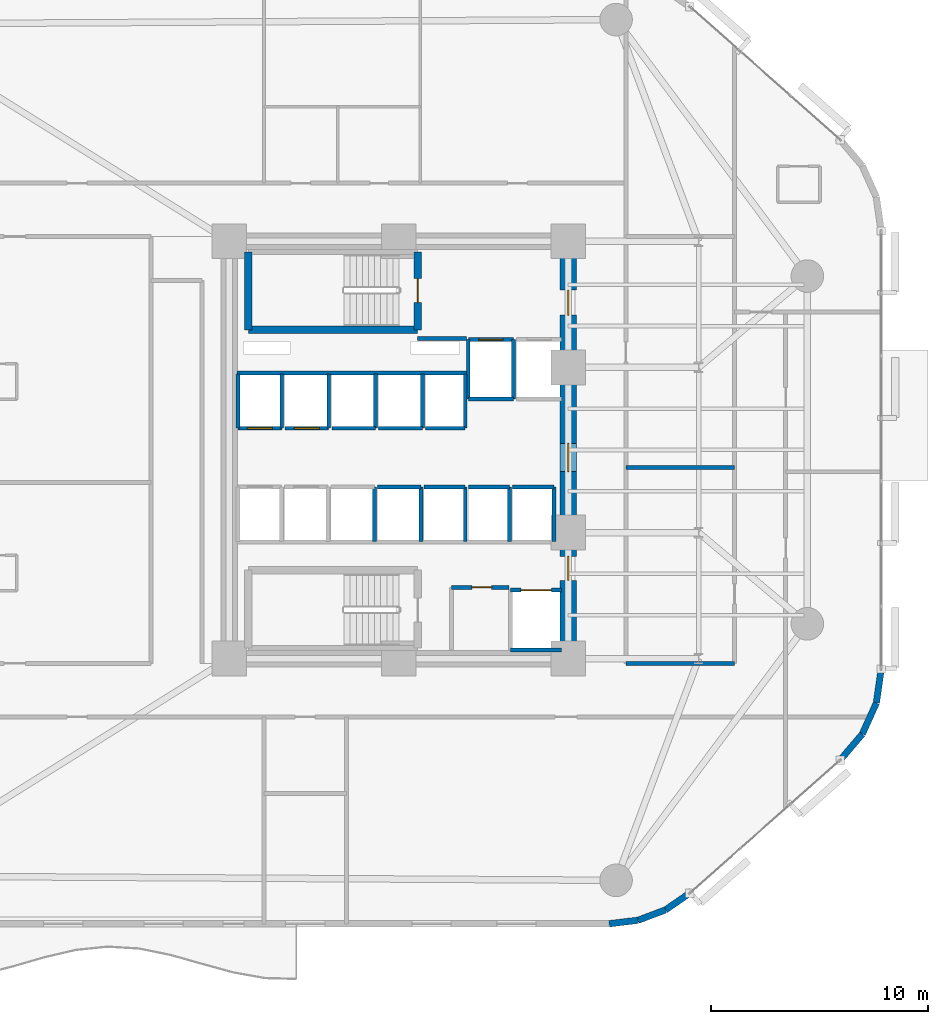
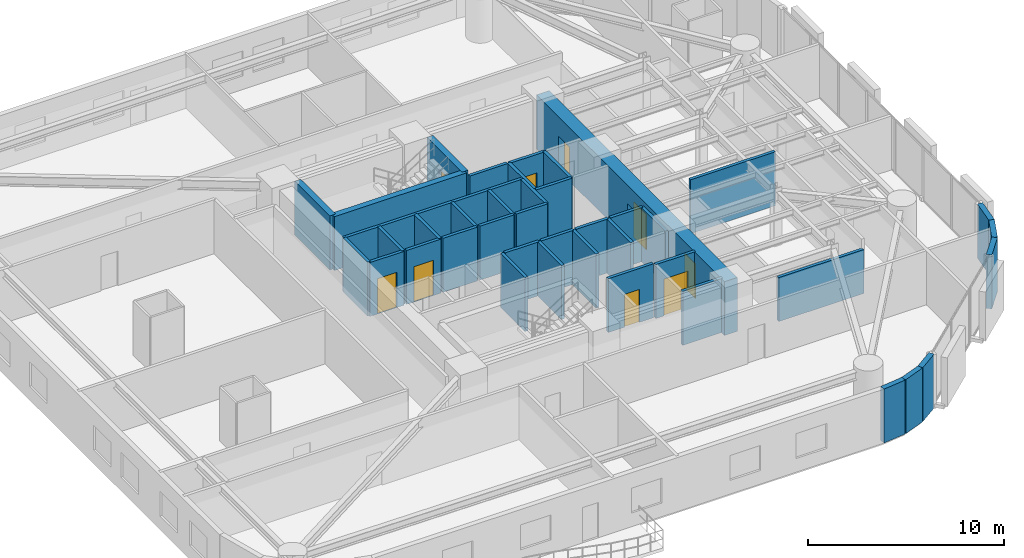
# One storey, part 11 of 16: 41 walls, 9 doors, 9 openings.
"""IFC4 building model written with IfcOpenShell, lengths in metres."""

import ifcopenshell
import ifcopenshell.guid

model = None  # the IFC model being written
_history = None  # IfcOwnerHistory: only IFC2X3 demands one
_inside = {}  # id of a spatial element -> (the spatial element, [elements in it])
_under = {}  # id of a project, library or spatial element -> (it, [spatial elements below it])
_declared = {}  # id of a project -> (the project, [libraries it declares])
_typed = {}  # id of a type object -> (the type object, [elements of that type])
_made_of = {}  # id of a material, layer set ... -> (it, [elements and type objects made of it])


def new_model(schema):
    """Start an empty IFC model of exactly this schema.

    Asked for "IFC4X3", IfcOpenShell would pick the latest addendum, in which some entities
    have other attributes; the version numbers below select the first issue.
    IFC2X3 requires an IfcOwnerHistory on every rooted entity: one is made here for all.
    """
    global model, _history
    if schema == "IFC4X3":
        model = ifcopenshell.file(schema_version=(4, 3, 0, 0))
    else:
        model = ifcopenshell.file(schema=schema)
    _inside.clear()
    _under.clear()
    _declared.clear()
    _typed.clear()
    _made_of.clear()
    _history = None
    if model.schema == "IFC2X3":
        org = make("IfcOrganization", Name="unknown")
        user = make(
            "IfcPersonAndOrganization",
            ThePerson=make("IfcPerson", FamilyName="unknown"),
            TheOrganization=org,
        )
        app = make(
            "IfcApplication",
            ApplicationDeveloper=org,
            Version="unknown",
            ApplicationFullName="unknown",
            ApplicationIdentifier="unknown",
        )
        _history = make(
            "IfcOwnerHistory",
            OwningUser=user,
            OwningApplication=app,
            ChangeAction="ADDED",
            CreationDate=0,
        )
    return model


def make(cls, **values):
    """One entity of the class cls with the attributes given. An attribute that is None is left unset."""
    return model.create_entity(
        cls, **{name: value for name, value in values.items() if value is not None}
    )


def rooted(cls, **values):
    """An entity with a GlobalId (a new one), such as an element, a storey or a relation."""
    return make(cls, GlobalId=ifcopenshell.guid.new(), OwnerHistory=_history, **values)


def si_unit(unit_type, name, prefix=None):
    """IfcSIUnit, for example si_unit("LENGTHUNIT", "METRE", prefix="MILLI")."""
    return make("IfcSIUnit", UnitType=unit_type, Prefix=prefix, Name=name)


def assignment(units):
    """IfcUnitAssignment: the units of a project."""
    return None if units is None else make("IfcUnitAssignment", Units=units)


def point(xyz):
    """IfcCartesianPoint."""
    return None if xyz is None else make("IfcCartesianPoint", Coordinates=xyz)


def direction(xyz):
    """IfcDirection."""
    return None if xyz is None else make("IfcDirection", DirectionRatios=xyz)


def frame(location, z_axis=None, x_axis=None):
    """IfcAxis2Placement3D, a coordinate frame: its origin and axes. An axis left out is left unset."""
    return make(
        "IfcAxis2Placement3D",
        Location=point(location),
        Axis=direction(z_axis),
        RefDirection=direction(x_axis),
    )


def frame_2d(location, x_axis=None):
    """IfcAxis2Placement2D, a coordinate frame in the plane: its origin and x axis."""
    return make(
        "IfcAxis2Placement2D", Location=point(location), RefDirection=direction(x_axis)
    )


def origin():
    """The frame at (0, 0, 0) with its axes left unset."""
    return frame((0.0, 0.0, 0.0))


def place(relative_to, where):
    """IfcLocalPlacement: puts the frame where relative to a parent placement (None: the world)."""
    return make(
        "IfcLocalPlacement", PlacementRelTo=relative_to, RelativePlacement=where
    )


def context(
    kind, dimensions, precision=None, world=None, true_north=None, identifier=None
):
    """IfcGeometricRepresentationContext, for example the 3D "Model" context."""
    return make(
        "IfcGeometricRepresentationContext",
        ContextIdentifier=identifier,
        ContextType=kind,
        CoordinateSpaceDimension=dimensions,
        Precision=precision,
        WorldCoordinateSystem=world,
        TrueNorth=true_north,
    )


def subcontext(parent, identifier, kind, view, scale=None):
    """IfcGeometricRepresentationSubContext, for example "Body" below "Model"."""
    return make(
        "IfcGeometricRepresentationSubContext",
        ContextIdentifier=identifier,
        ContextType=kind,
        ParentContext=parent,
        TargetScale=scale,
        TargetView=view,
    )


def project(units=None, contexts=None):
    """IfcProject with its units and contexts."""
    return rooted(
        "IfcProject",
        Name="project",
        RepresentationContexts=contexts,
        UnitsInContext=assignment(units),
    )


def spatial(cls, under=None, at=None, **own):
    """A site, building, storey or space (cls), placed at a placement, below another one or the project."""
    s = rooted(cls, ObjectPlacement=at, **own)
    if under is not None:
        _under.setdefault(under.id(), (under, []))[1].append(s)
    return s


def profile(cls, at=None, kind="AREA", **sizes):
    """A parametric profile (cls). Its sizes go by their IFC names, for example OverallWidth=200.0."""
    return make(cls, ProfileType=kind, Position=at, **sizes)


def rectangle(**sizes):
    """IfcRectangleProfileDef."""
    return profile("IfcRectangleProfileDef", **sizes)


def extrude(swept, where, along, depth):
    """IfcExtrudedAreaSolid: the profile swept, set in the frame where, extruded along a direction by depth."""
    return make(
        "IfcExtrudedAreaSolid",
        SweptArea=swept,
        Position=where,
        ExtrudedDirection=direction(along),
        Depth=depth,
    )


def shape(context_of_items, identifier, shape_type, items):
    """IfcShapeRepresentation: the items that make up one representation, for example the "Body"."""
    return make(
        "IfcShapeRepresentation",
        ContextOfItems=context_of_items,
        RepresentationIdentifier=identifier,
        RepresentationType=shape_type,
        Items=items,
    )


def material(Name=None, Category=None):
    """IfcMaterial."""
    return make("IfcMaterial", Name=Name, Category=Category)


def layer(
    of_material, thickness, ventilated=None, Name=None, Category=None, Priority=None
):
    """IfcMaterialLayer: one layer of a wall or slab, of a material (None: an air gap)."""
    return make(
        "IfcMaterialLayer",
        Material=of_material,
        LayerThickness=thickness,
        IsVentilated=ventilated,
        Name=Name,
        Category=Category,
        Priority=Priority,
    )


def layer_set(layers, Name=None):
    """IfcMaterialLayerSet."""
    return make("IfcMaterialLayerSet", MaterialLayers=layers, LayerSetName=Name)


def made_of(thing, what):
    """Note that an element or type object is made of a material, layer set ...; save() writes the relation."""
    if what is not None:
        _made_of.setdefault(what.id(), (what, []))[1].append(thing)
    return thing


def type_object(cls, material=None, **own):
    """A type object (cls), such as IfcWallType, which elements share."""
    return made_of(rooted(cls, **own), material)


def element(
    cls,
    number,
    at=None,
    inside=None,
    cuts=None,
    type_object=None,
    material=None,
    context=None,
    identifier="Body",
    shape_type=None,
    held_by="IfcProductDefinitionShape",
    body=None,
    shapes=None,
    **own,
):
    """One element of the class cls, such as IfcWall. Its Tag is "e" and its number.

    at: its placement. inside: the storey or other place that contains it. cuts: it is an
    opening in that element (IfcRelVoidsElement). A single representation is given by context,
    identifier, shape_type and body (its items); several are given by shapes. held_by: the class
    of the entity that holds the representations. save() writes the other relations.
    """
    e = rooted(cls, Tag="e%d" % number, ObjectPlacement=at, **own)
    if body is not None:
        shapes = [shape(context, identifier, shape_type, body)]
    if shapes is not None:
        e.Representation = make(held_by, Representations=shapes)
    if inside is not None:
        _inside.setdefault(inside.id(), (inside, []))[1].append(e)
    if cuts is not None:
        rooted(
            "IfcRelVoidsElement", RelatingBuildingElement=cuts, RelatedOpeningElement=e
        )
    if type_object is not None:
        _typed.setdefault(type_object.id(), (type_object, []))[1].append(e)
    return made_of(e, material)


def fill(opening, filler):
    """IfcRelFillsElement: the door or window that sits in an opening."""
    return rooted(
        "IfcRelFillsElement",
        RelatingOpeningElement=opening,
        RelatedBuildingElement=filler,
    )


def aggregate(whole, parts):
    """IfcRelAggregates: a whole, such as a stair, and the parts it consists of."""
    return rooted("IfcRelAggregates", RelatingObject=whole, RelatedObjects=parts)


def save(model, path):
    """Write the relations noted so far, then the file.

    IfcRelAggregates (storeys below a building ...), IfcRelContainedInSpatialStructure (elements
    in a storey), IfcRelDefinesByType, IfcRelAssociatesMaterial and IfcRelDeclares: one each for
    every whole, place, type object, material and project.
    """
    for whole, parts in _under.values():
        aggregate(whole, parts)
    for where, things in _inside.values():
        rooted(
            "IfcRelContainedInSpatialStructure",
            RelatedElements=things,
            RelatingStructure=where,
        )
    for kind, things in _typed.values():
        rooted("IfcRelDefinesByType", RelatedObjects=things, RelatingType=kind)
    for what, things in _made_of.values():
        rooted("IfcRelAssociatesMaterial", RelatedObjects=things, RelatingMaterial=what)
    for by, libraries in _declared.values():
        rooted("IfcRelDeclares", RelatingContext=by, RelatedDefinitions=libraries)
    model.write(path)


model = new_model("IFC4")

# Units and contexts
model_context = context("Model", 3, precision=1e-05, world=origin(), true_north=direction((0.0, 1.0)))
body_context = subcontext(model_context, "Body", "Model", "MODEL_VIEW")
ifc_project = project(units=[si_unit("LENGTHUNIT", "METRE"), si_unit("AREAUNIT", "SQUARE_METRE"), si_unit("VOLUMEUNIT", "CUBIC_METRE"), si_unit("PLANEANGLEUNIT", "RADIAN"), si_unit("MASSUNIT", "GRAM", prefix="KILO")], contexts=[model_context])

# Site, building, storey
site_placement = place(None, origin())
site = spatial("IfcSite", under=ifc_project, at=site_placement, CompositionType="ELEMENT")
building_placement = place(site_placement, origin())
building = spatial("IfcBuilding", under=site, at=building_placement, Name="An Khanh Terracotta Commons", CompositionType="ELEMENT")
storey_placement = place(building_placement, frame((0.0, 0.0, 72.0)))
storey = spatial("IfcBuildingStorey", under=building, at=storey_placement, Name="L19", CompositionType="ELEMENT", Elevation=72.0)

# Wall, openings, doors
ifc_material_1 = material(Name="Concrete C70/85", Category="concrete")
ifc_layer_1 = layer(ifc_material_1, 0.75, Name="Concrete C70/85")
ifc_layer_set_1 = layer_set([ifc_layer_1], Name="Concrete C70/85")
wall_type_1 = type_object("IfcWallType", Name="WALL-CORE-750", PredefinedType="SHEAR", material=ifc_layer_set_1)
wall_1_placement = place(storey_placement, frame((37.199951171875, 14.39990234375, 0.0), z_axis=(0.0, 0.0, 1.0), x_axis=(0.0, 1.0, 0.0)))
wall_1 = element("IfcWall", 1, at=wall_1_placement, inside=storey, type_object=wall_type_1, Name="L19 Core Wall CWALL-L19-E", PredefinedType="SHEAR", context=body_context, shape_type="SweptSolid", body=[
    extrude(rectangle(XDim=19.2001953125, YDim=0.75, at=frame_2d((9.60009765625, 0.0))), origin(), (0.0, 0.0, 1.0), 3.360107421875),
])
opening_1_placement = place(wall_1_placement, frame((15.800048828125, 0.0, 0.0)))
opening_1 = element("IfcOpeningElement", 2, at=opening_1_placement, cuts=wall_1, Name="Opening D-FFL", PredefinedType="OPENING", context=body_context, shape_type="SweptSolid", body=[
    extrude(rectangle(XDim=1.14990234375, YDim=2.14990234375, at=frame_2d((0.574951171875, 1.074951171875))), frame((0.0, 0.385009765625, 0.0), z_axis=(0.0, -1.0, 0.0), x_axis=(1.0, 0.0, 0.0)), (0.0, 0.0, 1.0), 0.77001953125),
])
opening_2_placement = place(wall_1_placement, frame((3.60009765625, 0.0, 0.0)))
opening_2 = element("IfcOpeningElement", 3, at=opening_2_placement, cuts=wall_1, Name="Opening D-ST", PredefinedType="OPENING", context=body_context, shape_type="SweptSolid", body=[
    extrude(rectangle(XDim=1.10009765625, YDim=2.14990234375, at=frame_2d((0.550048828125, 1.074951171875))), frame((0.0, 0.385009765625, 0.0), z_axis=(0.0, -1.0, 0.0), x_axis=(1.0, 0.0, 0.0)), (0.0, 0.0, 1.0), 0.77001953125),
])
opening_3_placement = place(wall_1_placement, frame((8.60009765625, 0.0, 0.0)))
opening_3 = element("IfcOpeningElement", 4, at=opening_3_placement, cuts=wall_1, Name="Opening D-COR", PredefinedType="OPENING", context=body_context, shape_type="SweptSolid", body=[
    extrude(rectangle(XDim=1.300048828125, YDim=2.199951171875, at=frame_2d((0.64990234375, 1.10009765625))), frame((0.0, 0.385009765625, 0.0), z_axis=(0.0, -1.0, 0.0), x_axis=(1.0, 0.0, 0.0)), (0.0, 0.0, 1.0), 0.77001953125),
])
ifc_material_2 = material(Name="Fire-Rated Glazed Steel Double Door", Category="steel")
door_type_1 = type_object("IfcDoorType", Name="DOOR-CORR-1300", OperationType="NOTDEFINED", PredefinedType="DOOR", material=ifc_material_2)
door_1_placement = place(opening_3_placement, origin())
door_1 = element("IfcDoor", 5, at=door_1_placement, inside=storey, type_object=door_type_1, Name="L19 Passenger Lift Lobby Double Door", OperationType="DOUBLE_DOOR_SINGLE_SWING", OverallHeight=2.199951171875, OverallWidth=1.300048828125, PredefinedType="DOOR", context=body_context, shape_type="SweptSolid", body=[
    extrude(rectangle(XDim=1.300048828125, YDim=2.199951171875, at=frame_2d((0.64990234375, 1.10009765625))), frame((0.0, 0.02490234375, 0.0), z_axis=(0.0, -1.0, 0.0), x_axis=(1.0, 0.0, 0.0)), (0.0, 0.0, 1.0), 0.050048828125),
])
fill(opening_3, door_1)
ifc_material_3 = material(Name="Fire-Rated Steel Leaf and Vision Panel", Category="steel")
door_type_2 = type_object("IfcDoorType", Name="DOOR-FFL-1150", OperationType="NOTDEFINED", PredefinedType="DOOR", material=ifc_material_3)
door_2_placement = place(opening_1_placement, origin())
door_2 = element("IfcDoor", 6, at=door_2_placement, inside=storey, type_object=door_type_2, Name="L19 Firefighting Lift Lobby Fire Door", OperationType="SINGLE_SWING_LEFT", OverallHeight=2.14990234375, OverallWidth=1.14990234375, PredefinedType="DOOR", context=body_context, shape_type="SweptSolid", body=[
    extrude(rectangle(XDim=1.14990234375, YDim=2.14990234375, at=frame_2d((0.574951171875, 1.074951171875))), frame((0.0, 0.02490234375, 0.0), z_axis=(0.0, -1.0, 0.0), x_axis=(1.0, 0.0, 0.0)), (0.0, 0.0, 1.0), 0.050048828125),
])
fill(opening_1, door_2)
ifc_material_4 = material(Name="Fire-Rated Steel Leaf and Frame", Category="steel")
door_type_3 = type_object("IfcDoorType", Name="DOOR-STAIR-1100", OperationType="NOTDEFINED", PredefinedType="DOOR", material=ifc_material_4)
door_3_placement = place(opening_2_placement, origin())
door_3 = element("IfcDoor", 7, at=door_3_placement, inside=storey, type_object=door_type_3, Name="L19 South Stair Lobby Fire Door", OperationType="SINGLE_SWING_RIGHT", OverallHeight=2.14990234375, OverallWidth=1.10009765625, PredefinedType="DOOR", context=body_context, shape_type="SweptSolid", body=[
    extrude(rectangle(XDim=1.10009765625, YDim=2.14990234375, at=frame_2d((0.550048828125, 1.074951171875))), frame((0.0, 0.02490234375, 0.0), z_axis=(0.0, -1.0, 0.0), x_axis=(1.0, 0.0, 0.0)), (0.0, 0.0, 1.0), 0.050048828125),
])
fill(opening_2, door_3)

# Walls
ifc_material_5 = material(Name="Fire-Rated Gypsum Board on Steel Stud", Category="steel")
ifc_layer_2 = layer(ifc_material_5, 0.179931640625, Name="Fire-Rated Gypsum Board on Steel Stud")
ifc_layer_set_2 = layer_set([ifc_layer_2], Name="Fire-Rated Gypsum Board on Steel Stud")
wall_type_2 = type_object("IfcWallType", Name="WALL-CORR-180", PredefinedType="PARTITIONING", material=ifc_layer_set_2)
wall_2_placement = place(storey_placement, frame((30.27001953125, 29.1201171875, 0.0), z_axis=(0.0, 0.0, 1.0), x_axis=(1.0, 0.0, 0.0)))
element("IfcWall", 8, at=wall_2_placement, inside=storey, type_object=wall_type_2, Name="L19 Core Wall FFLW-L19-S", PredefinedType="PARTITIONING", context=body_context, shape_type="SweptSolid", body=[
    extrude(rectangle(XDim=2.239990234375, YDim=0.179931640625, at=frame_2d((1.1201171875, 0.0))), origin(), (0.0, 0.0, 1.0), 3.360107421875),
])
wall_3_placement = place(storey_placement, frame((21.949951171875, 27.5400390625, 0.0), z_axis=(0.0, 0.0, 1.0), x_axis=(1.0, 0.0, 0.0)))
element("IfcWall", 9, at=wall_3_placement, inside=storey, type_object=wall_type_2, Name="L19 Core Wall RSRW-L19-S", PredefinedType="PARTITIONING", context=body_context, shape_type="SweptSolid", body=[
    extrude(rectangle(XDim=10.56005859375, YDim=0.179931640625, at=frame_2d((5.280029296875, 0.0))), origin(), (0.0, 0.0, 1.0), 3.360107421875),
])

# Wall, opening, door
wall_4_placement = place(storey_placement, frame((31.820068359375, 17.679931640625, 0.0), z_axis=(0.0, 0.0, 1.0), x_axis=(1.0, 0.0, 0.0)))
wall_4 = element("IfcWall", 10, at=wall_4_placement, inside=storey, type_object=wall_type_2, Name="L19 Core Wall SSVCW-L19-N", PredefinedType="PARTITIONING", context=body_context, shape_type="SweptSolid", body=[
    extrude(rectangle(XDim=2.659912109375, YDim=0.179931640625, at=frame_2d((1.330078125, 0.0))), origin(), (0.0, 0.0, 1.0), 3.360107421875),
])
opening_4_placement = place(wall_4_placement, frame((0.949951171875, 0.0, 0.0)))
opening_4 = element("IfcOpeningElement", 11, at=opening_4_placement, cuts=wall_4, Name="Opening D-SV", PredefinedType="OPENING", context=body_context, shape_type="SweptSolid", body=[
    extrude(rectangle(XDim=0.89990234375, YDim=2.050048828125, at=frame_2d((0.449951171875, 1.02490234375))), frame((0.0, 0.099853515625, 0.0), z_axis=(0.0, -1.0, 0.0), x_axis=(1.0, 0.0, 0.0)), (0.0, 0.0, 1.0), 0.199951171875),
])
ifc_material_6 = material(Name="Fire-Rated Powder-Coated Steel Door", Category="steel")
door_type_4 = type_object("IfcDoorType", Name="DOOR-SERV-900", OperationType="NOTDEFINED", PredefinedType="DOOR", material=ifc_material_6)
door_4_placement = place(opening_4_placement, origin())
door_4 = element("IfcDoor", 12, at=door_4_placement, inside=storey, type_object=door_type_4, Name="L19 Electrical Switch Cupboard Door", OperationType="SINGLE_SWING_LEFT", OverallHeight=2.050048828125, OverallWidth=0.89990234375, PredefinedType="DOOR", context=body_context, shape_type="SweptSolid", body=[
    extrude(rectangle(XDim=0.89990234375, YDim=2.050048828125, at=frame_2d((0.449951171875, 1.02490234375))), frame((0.0, 0.02490234375, 0.0), z_axis=(0.0, -1.0, 0.0), x_axis=(1.0, 0.0, 0.0)), (0.0, 0.0, 1.0), 0.050048828125),
])
fill(opening_4, door_4)

wall_5_placement = place(storey_placement, frame((32.60009765625, 29.080078125, 0.0), z_axis=(0.0, 0.0, 1.0), x_axis=(1.0, 0.0, 0.0)))
wall_5 = element("IfcWall", 13, at=wall_5_placement, inside=storey, type_object=wall_type_2, Name="L19 Core Wall LSH-L19-FFL-01-N", PredefinedType="PARTITIONING", context=body_context, shape_type="SweptSolid", body=[
    extrude(rectangle(XDim=2.079833984375, YDim=0.179931640625, at=frame_2d((1.0400390625, 0.0))), origin(), (0.0, 0.0, 1.0), 3.360107421875),
])
opening_5_placement = place(wall_5_placement, frame((0.489990234375, 0.0, 0.0)))
opening_5 = element("IfcOpeningElement", 14, at=opening_5_placement, cuts=wall_5, Name="Opening LD-FFL-01-L19", PredefinedType="OPENING", context=body_context, shape_type="SweptSolid", body=[
    extrude(rectangle(XDim=1.10009765625, YDim=2.199951171875, at=frame_2d((0.550048828125, 1.10009765625))), frame((0.0, 0.099853515625, 0.0), z_axis=(0.0, -1.0, 0.0), x_axis=(1.0, 0.0, 0.0)), (0.0, 0.0, 1.0), 0.199951171875),
])
ifc_material_7 = material(Name="Brushed Stainless Steel Fire Landing Door", Category="steel")
door_type_5 = type_object("IfcDoorType", Name="DOOR-LD-FFL-1100", OperationType="NOTDEFINED", PredefinedType="DOOR", material=ifc_material_7)
door_5_placement = place(opening_5_placement, origin())
door_5 = element("IfcDoor", 15, at=door_5_placement, inside=storey, type_object=door_type_5, Name="L19 Lift FFL-01 Sliding Landing Door", OperationType="DOUBLE_DOOR_SLIDING", OverallHeight=2.199951171875, OverallWidth=1.10009765625, PredefinedType="DOOR", context=body_context, shape_type="SweptSolid", body=[
    extrude(rectangle(XDim=1.10009765625, YDim=2.199951171875, at=frame_2d((0.550048828125, 1.10009765625))), frame((0.0, 0.02490234375, 0.0), z_axis=(0.0, -1.0, 0.0), x_axis=(1.0, 0.0, 0.0)), (0.0, 0.0, 1.0), 0.050048828125),
])
fill(opening_5, door_5)

# Walls
wall_6_placement = place(storey_placement, frame((34.679931640625, 26.35009765625, 0.0), z_axis=(0.0, 0.0, 1.0), x_axis=(-1.0, 0.0, 0.0)))
element("IfcWall", 16, at=wall_6_placement, inside=storey, type_object=wall_type_2, Name="L19 Core Wall LSH-L19-FFL-01-S", PredefinedType="PARTITIONING", context=body_context, shape_type="SweptSolid", body=[
    extrude(rectangle(XDim=2.079833984375, YDim=0.179931640625, at=frame_2d((1.0400390625, 0.0))), origin(), (0.0, 0.0, 1.0), 3.360107421875),
])
for number, where, z_axis, x_axis, name in (
    (17, (34.679931640625, 26.35009765625, 0.0), (0.0, 0.0, 1.0), (0.0, 1.0, 0.0), "L19 Core Wall LSH-L19-FFL-01-E"),
    (18, (32.60009765625, 29.080078125, 0.0), (0.0, 0.0, 1.0), (0.0, -1.0, 0.0), "L19 Core Wall LSH-L19-FFL-01-W"),
):
    element("IfcWall", number, at=place(storey_placement, frame(where, z_axis=z_axis, x_axis=x_axis)), inside=storey, type_object=wall_type_2, Name=name, PredefinedType="PARTITIONING", context=body_context, shape_type="SweptSolid", body=[
        extrude(rectangle(XDim=2.72998046875, YDim=0.179931640625, at=frame_2d((1.364990234375, 0.0))), origin(), (0.0, 0.0, 1.0), 3.360107421875),
    ])

# Wall, opening, door
wall_7_placement = place(storey_placement, frame((34.550048828125, 17.550048828125, 0.0), z_axis=(0.0, 0.0, 1.0), x_axis=(1.0, 0.0, 0.0)))
wall_7 = element("IfcWall", 19, at=wall_7_placement, inside=storey, type_object=wall_type_2, Name="L19 Core Wall LSH-L19-SVL-01-N", PredefinedType="PARTITIONING", context=body_context, shape_type="SweptSolid", body=[
    extrude(rectangle(XDim=2.349853515625, YDim=0.179931640625, at=frame_2d((1.1748046875, 0.0))), origin(), (0.0, 0.0, 1.0), 3.360107421875),
])
opening_6_placement = place(wall_7_placement, frame((0.47509765625, 0.0, 0.0)))
opening_6 = element("IfcOpeningElement", 20, at=opening_6_placement, cuts=wall_7, Name="Opening LD-SVL-01-L19", PredefinedType="OPENING", context=body_context, shape_type="SweptSolid", body=[
    extrude(rectangle(XDim=1.39990234375, YDim=2.300048828125, at=frame_2d((0.699951171875, 1.14990234375))), frame((0.0, 0.099853515625, 0.0), z_axis=(0.0, -1.0, 0.0), x_axis=(1.0, 0.0, 0.0)), (0.0, 0.0, 1.0), 0.199951171875),
])
ifc_material_8 = material(Name="Heavy-Duty Stainless Steel Goods Landing Door", Category="steel")
door_type_6 = type_object("IfcDoorType", Name="DOOR-LD-SVL-1400", OperationType="NOTDEFINED", PredefinedType="DOOR", material=ifc_material_8)
door_6_placement = place(opening_6_placement, origin())
door_6 = element("IfcDoor", 21, at=door_6_placement, inside=storey, type_object=door_type_6, Name="L19 Lift SVL-01 Sliding Landing Door", OperationType="DOUBLE_DOOR_SLIDING", OverallHeight=2.300048828125, OverallWidth=1.39990234375, PredefinedType="DOOR", context=body_context, shape_type="SweptSolid", body=[
    extrude(rectangle(XDim=1.39990234375, YDim=2.300048828125, at=frame_2d((0.699951171875, 1.14990234375))), frame((0.0, 0.02490234375, 0.0), z_axis=(0.0, -1.0, 0.0), x_axis=(1.0, 0.0, 0.0)), (0.0, 0.0, 1.0), 0.050048828125),
])
fill(opening_6, door_6)

# Wall
wall_8_placement = place(storey_placement, frame((36.89990234375, 14.800048828125, 0.0), z_axis=(0.0, 0.0, 1.0), x_axis=(-1.0, 0.0, 0.0)))
element("IfcWall", 22, at=wall_8_placement, inside=storey, type_object=wall_type_2, Name="L19 Core Wall LSH-L19-SVL-01-S", PredefinedType="PARTITIONING", context=body_context, shape_type="SweptSolid", body=[
    extrude(rectangle(XDim=2.349853515625, YDim=0.179931640625, at=frame_2d((1.1748046875, 0.0))), origin(), (0.0, 0.0, 1.0), 3.360107421875),
])

# Wall, opening, door
wall_9_placement = place(storey_placement, frame((24.02001953125, 25.0, 0.0), z_axis=(0.0, 0.0, 1.0), x_axis=(-1.0, 0.0, 0.0)))
wall_9 = element("IfcWall", 23, at=wall_9_placement, inside=storey, type_object=wall_type_2, Name="L19 Core Wall LSH-L19-PL-L1-S", PredefinedType="PARTITIONING", context=body_context, shape_type="SweptSolid", body=[
    extrude(rectangle(XDim=2.02001953125, YDim=0.179931640625, at=frame_2d((1.010009765625, 0.0))), origin(), (0.0, 0.0, 1.0), 3.360107421875),
])
opening_7_placement = place(wall_9_placement, frame((0.43505859375, 0.0, 0.0)))
opening_7 = element("IfcOpeningElement", 24, at=opening_7_placement, cuts=wall_9, Name="Opening LD-PL-L1-L19", PredefinedType="OPENING", context=body_context, shape_type="SweptSolid", body=[
    extrude(rectangle(XDim=1.14990234375, YDim=2.199951171875, at=frame_2d((0.574951171875, 1.10009765625))), frame((0.0, 0.099853515625, 0.0), z_axis=(0.0, -1.0, 0.0), x_axis=(1.0, 0.0, 0.0)), (0.0, 0.0, 1.0), 0.199951171875),
])
ifc_material_9 = material(Name="Brushed Stainless Steel Passenger Landing Door", Category="steel")
door_type_7 = type_object("IfcDoorType", Name="DOOR-LD-PAX-1150", OperationType="NOTDEFINED", PredefinedType="DOOR", material=ifc_material_9)
door_7_placement = place(opening_7_placement, origin())
door_7 = element("IfcDoor", 25, at=door_7_placement, inside=storey, type_object=door_type_7, Name="L19 Lift PL-L1 Sliding Landing Door", OperationType="DOUBLE_DOOR_SLIDING", OverallHeight=2.199951171875, OverallWidth=1.14990234375, PredefinedType="DOOR", context=body_context, shape_type="SweptSolid", body=[
    extrude(rectangle(XDim=1.14990234375, YDim=2.199951171875, at=frame_2d((0.574951171875, 1.10009765625))), frame((0.0, 0.02490234375, 0.0), z_axis=(0.0, -1.0, 0.0), x_axis=(1.0, 0.0, 0.0)), (0.0, 0.0, 1.0), 0.050048828125),
])
fill(opening_7, door_7)

# Walls
for number, where, z_axis, x_axis, name in (
    (26, (24.02001953125, 25.0, 0.0), (0.0, 0.0, 1.0), (0.0, 1.0, 0.0), "L19 Core Wall LSH-L19-PL-L1-E"),
    (27, (22.0, 27.5, 0.0), (0.0, 0.0, 1.0), (0.0, -1.0, 0.0), "L19 Core Wall LSH-L19-PL-L1-W"),
):
    element("IfcWall", number, at=place(storey_placement, frame(where, z_axis=z_axis, x_axis=x_axis)), inside=storey, type_object=wall_type_2, Name=name, PredefinedType="PARTITIONING", context=body_context, shape_type="SweptSolid", body=[
        extrude(rectangle(XDim=2.5, YDim=0.179931640625, at=frame_2d((1.25, 0.0))), origin(), (0.0, 0.0, 1.0), 3.360107421875),
    ])

# Wall, opening, door
wall_10_placement = place(storey_placement, frame((26.179931640625, 25.0, 0.0), z_axis=(0.0, 0.0, 1.0), x_axis=(-1.0, 0.0, 0.0)))
wall_10 = element("IfcWall", 28, at=wall_10_placement, inside=storey, type_object=wall_type_2, Name="L19 Core Wall LSH-L19-PL-L2-S", PredefinedType="PARTITIONING", context=body_context, shape_type="SweptSolid", body=[
    extrude(rectangle(XDim=2.02001953125, YDim=0.179931640625, at=frame_2d((1.010009765625, 0.0))), origin(), (0.0, 0.0, 1.0), 3.360107421875),
])
opening_8_placement = place(wall_10_placement, frame((0.43505859375, 0.0, 0.0)))
opening_8 = element("IfcOpeningElement", 29, at=opening_8_placement, cuts=wall_10, Name="Opening LD-PL-L2-L19", PredefinedType="OPENING", context=body_context, shape_type="SweptSolid", body=[
    extrude(rectangle(XDim=1.14990234375, YDim=2.199951171875, at=frame_2d((0.574951171875, 1.10009765625))), frame((0.0, 0.099853515625, 0.0), z_axis=(0.0, -1.0, 0.0), x_axis=(1.0, 0.0, 0.0)), (0.0, 0.0, 1.0), 0.199951171875),
])
door_8_placement = place(opening_8_placement, origin())
door_8 = element("IfcDoor", 30, at=door_8_placement, inside=storey, type_object=door_type_7, Name="L19 Lift PL-L2 Sliding Landing Door", OperationType="DOUBLE_DOOR_SLIDING", OverallHeight=2.199951171875, OverallWidth=1.14990234375, PredefinedType="DOOR", context=body_context, shape_type="SweptSolid", body=[
    extrude(rectangle(XDim=1.14990234375, YDim=2.199951171875, at=frame_2d((0.574951171875, 1.10009765625))), frame((0.0, 0.02490234375, 0.0), z_axis=(0.0, -1.0, 0.0), x_axis=(1.0, 0.0, 0.0)), (0.0, 0.0, 1.0), 0.050048828125),
])
fill(opening_8, door_8)

# Walls
wall_11_placement = place(storey_placement, frame((26.179931640625, 25.0, 0.0), z_axis=(0.0, 0.0, 1.0), x_axis=(0.0, 1.0, 0.0)))
element("IfcWall", 31, at=wall_11_placement, inside=storey, type_object=wall_type_2, Name="L19 Core Wall LSH-L19-PL-L2-E", PredefinedType="PARTITIONING", context=body_context, shape_type="SweptSolid", body=[
    extrude(rectangle(XDim=2.5, YDim=0.179931640625, at=frame_2d((1.25, 0.0))), origin(), (0.0, 0.0, 1.0), 3.360107421875),
])
wall_12_placement = place(storey_placement, frame((28.340087890625, 25.0, 0.0), z_axis=(0.0, 0.0, 1.0), x_axis=(-1.0, 0.0, 0.0)))
element("IfcWall", 32, at=wall_12_placement, inside=storey, type_object=wall_type_2, Name="L19 Core Wall LSH-L19-PL-M1-S", PredefinedType="PARTITIONING", context=body_context, shape_type="SweptSolid", body=[
    extrude(rectangle(XDim=2.02001953125, YDim=0.179931640625, at=frame_2d((1.010009765625, 0.0))), origin(), (0.0, 0.0, 1.0), 3.360107421875),
])
wall_13_placement = place(storey_placement, frame((28.340087890625, 25.0, 0.0), z_axis=(0.0, 0.0, 1.0), x_axis=(0.0, 1.0, 0.0)))
element("IfcWall", 33, at=wall_13_placement, inside=storey, type_object=wall_type_2, Name="L19 Core Wall LSH-L19-PL-M1-E", PredefinedType="PARTITIONING", context=body_context, shape_type="SweptSolid", body=[
    extrude(rectangle(XDim=2.5, YDim=0.179931640625, at=frame_2d((1.25, 0.0))), origin(), (0.0, 0.0, 1.0), 3.360107421875),
])
wall_14_placement = place(storey_placement, frame((30.5, 25.0, 0.0), z_axis=(0.0, 0.0, 1.0), x_axis=(-1.0, 0.0, 0.0)))
element("IfcWall", 34, at=wall_14_placement, inside=storey, type_object=wall_type_2, Name="L19 Core Wall LSH-L19-PL-M2-S", PredefinedType="PARTITIONING", context=body_context, shape_type="SweptSolid", body=[
    extrude(rectangle(XDim=2.02001953125, YDim=0.179931640625, at=frame_2d((1.010009765625, 0.0))), origin(), (0.0, 0.0, 1.0), 3.360107421875),
])
for number, where, z_axis, x_axis, name in (
    (35, (30.5, 25.0, 0.0), (0.0, 0.0, 1.0), (0.0, 1.0, 0.0), "L19 Core Wall LSH-L19-PL-M2-E"),
    (36, (28.280029296875, 19.800048828125, 0.0), (0.0, 0.0, 1.0), (0.0, 1.0, 0.0), "L19 Core Wall LSH-L19-PL-M3-E"),
):
    element("IfcWall", number, at=place(storey_placement, frame(where, z_axis=z_axis, x_axis=x_axis)), inside=storey, type_object=wall_type_2, Name=name, PredefinedType="PARTITIONING", context=body_context, shape_type="SweptSolid", body=[
        extrude(rectangle(XDim=2.5, YDim=0.179931640625, at=frame_2d((1.25, 0.0))), origin(), (0.0, 0.0, 1.0), 3.360107421875),
    ])
wall_15_placement = place(storey_placement, frame((28.419921875, 22.300048828125, 0.0), z_axis=(0.0, 0.0, 1.0), x_axis=(1.0, 0.0, 0.0)))
element("IfcWall", 37, at=wall_15_placement, inside=storey, type_object=wall_type_2, Name="L19 Core Wall LSH-L19-PL-M4-N", PredefinedType="PARTITIONING", context=body_context, shape_type="SweptSolid", body=[
    extrude(rectangle(XDim=2.0, YDim=0.179931640625, at=frame_2d((1.0, 0.0))), origin(), (0.0, 0.0, 1.0), 3.360107421875),
])
wall_16_placement = place(storey_placement, frame((30.419921875, 19.800048828125, 0.0), z_axis=(0.0, 0.0, 1.0), x_axis=(0.0, 1.0, 0.0)))
element("IfcWall", 38, at=wall_16_placement, inside=storey, type_object=wall_type_2, Name="L19 Core Wall LSH-L19-PL-M4-E", PredefinedType="PARTITIONING", context=body_context, shape_type="SweptSolid", body=[
    extrude(rectangle(XDim=2.5, YDim=0.179931640625, at=frame_2d((1.25, 0.0))), origin(), (0.0, 0.0, 1.0), 3.360107421875),
])
wall_17_placement = place(storey_placement, frame((32.4599609375, 25.0, 0.0), z_axis=(0.0, 0.0, 1.0), x_axis=(-1.0, 0.0, 0.0)))
element("IfcWall", 39, at=wall_17_placement, inside=storey, type_object=wall_type_2, Name="L19 Core Wall LSH-L19-PL-H1-S", PredefinedType="PARTITIONING", context=body_context, shape_type="SweptSolid", body=[
    extrude(rectangle(XDim=1.820068359375, YDim=0.179931640625, at=frame_2d((0.91015625, 0.0))), origin(), (0.0, 0.0, 1.0), 3.360107421875),
])
wall_18_placement = place(storey_placement, frame((32.4599609375, 25.0, 0.0), z_axis=(0.0, 0.0, 1.0), x_axis=(0.0, 1.0, 0.0)))
element("IfcWall", 40, at=wall_18_placement, inside=storey, type_object=wall_type_2, Name="L19 Core Wall LSH-L19-PL-H1-E", PredefinedType="PARTITIONING", context=body_context, shape_type="SweptSolid", body=[
    extrude(rectangle(XDim=2.5, YDim=0.179931640625, at=frame_2d((1.25, 0.0))), origin(), (0.0, 0.0, 1.0), 3.360107421875),
])
wall_19_placement = place(storey_placement, frame((30.56005859375, 22.300048828125, 0.0), z_axis=(0.0, 0.0, 1.0), x_axis=(1.0, 0.0, 0.0)))
element("IfcWall", 41, at=wall_19_placement, inside=storey, type_object=wall_type_2, Name="L19 Core Wall LSH-L19-PL-H2-N", PredefinedType="PARTITIONING", context=body_context, shape_type="SweptSolid", body=[
    extrude(rectangle(XDim=1.89990234375, YDim=0.179931640625, at=frame_2d((0.949951171875, 0.0))), origin(), (0.0, 0.0, 1.0), 3.360107421875),
])
wall_20_placement = place(storey_placement, frame((32.4599609375, 19.800048828125, 0.0), z_axis=(0.0, 0.0, 1.0), x_axis=(0.0, 1.0, 0.0)))
element("IfcWall", 42, at=wall_20_placement, inside=storey, type_object=wall_type_2, Name="L19 Core Wall LSH-L19-PL-H2-E", PredefinedType="PARTITIONING", context=body_context, shape_type="SweptSolid", body=[
    extrude(rectangle(XDim=2.5, YDim=0.179931640625, at=frame_2d((1.25, 0.0))), origin(), (0.0, 0.0, 1.0), 3.360107421875),
])
wall_21_placement = place(storey_placement, frame((32.60009765625, 22.300048828125, 0.0), z_axis=(0.0, 0.0, 1.0), x_axis=(1.0, 0.0, 0.0)))
element("IfcWall", 43, at=wall_21_placement, inside=storey, type_object=wall_type_2, Name="L19 Core Wall LSH-L19-PL-H3-N", PredefinedType="PARTITIONING", context=body_context, shape_type="SweptSolid", body=[
    extrude(rectangle(XDim=1.89990234375, YDim=0.179931640625, at=frame_2d((0.949951171875, 0.0))), origin(), (0.0, 0.0, 1.0), 3.360107421875),
])
wall_22_placement = place(storey_placement, frame((34.5, 19.800048828125, 0.0), z_axis=(0.0, 0.0, 1.0), x_axis=(0.0, 1.0, 0.0)))
element("IfcWall", 44, at=wall_22_placement, inside=storey, type_object=wall_type_2, Name="L19 Core Wall LSH-L19-PL-H3-E", PredefinedType="PARTITIONING", context=body_context, shape_type="SweptSolid", body=[
    extrude(rectangle(XDim=2.5, YDim=0.179931640625, at=frame_2d((1.25, 0.0))), origin(), (0.0, 0.0, 1.0), 3.360107421875),
])
wall_23_placement = place(storey_placement, frame((34.639892578125, 22.300048828125, 0.0), z_axis=(0.0, 0.0, 1.0), x_axis=(1.0, 0.0, 0.0)))
element("IfcWall", 45, at=wall_23_placement, inside=storey, type_object=wall_type_2, Name="L19 Core Wall LSH-L19-PL-H4-N", PredefinedType="PARTITIONING", context=body_context, shape_type="SweptSolid", body=[
    extrude(rectangle(XDim=1.900146484375, YDim=0.179931640625, at=frame_2d((0.9501953125, 0.0))), origin(), (0.0, 0.0, 1.0), 3.360107421875),
])
wall_24_placement = place(storey_placement, frame((36.5400390625, 19.800048828125, 0.0), z_axis=(0.0, 0.0, 1.0), x_axis=(0.0, 1.0, 0.0)))
element("IfcWall", 46, at=wall_24_placement, inside=storey, type_object=wall_type_2, Name="L19 Core Wall LSH-L19-PL-H4-E", PredefinedType="PARTITIONING", context=body_context, shape_type="SweptSolid", body=[
    extrude(rectangle(XDim=2.5, YDim=0.179931640625, at=frame_2d((1.25, 0.0))), origin(), (0.0, 0.0, 1.0), 3.360107421875),
])
wall_25_placement = place(storey_placement, frame((39.85009765625, 14.179931640625, 0.0), z_axis=(0.0, 0.0, 1.0), x_axis=(1.0, 0.0, 0.0)))
element("IfcWall", 47, at=wall_25_placement, inside=storey, type_object=wall_type_2, Name="L19 Interior Partition IW-L19-E004", PredefinedType="PARTITIONING", context=body_context, shape_type="SweptSolid", body=[
    extrude(rectangle(XDim=5.0, YDim=0.179931640625, at=frame_2d((2.5, 0.0))), origin(), (0.0, 0.0, 1.0), 2.741943359375),
])
wall_26_placement = place(storey_placement, frame((39.85009765625, 23.199951171875, 0.0), z_axis=(0.0, 0.0, 1.0), x_axis=(1.0, 0.0, 0.0)))
element("IfcWall", 48, at=wall_26_placement, inside=storey, type_object=wall_type_2, Name="L19 Interior Partition IW-L19-E007", PredefinedType="PARTITIONING", context=body_context, shape_type="SweptSolid", body=[
    extrude(rectangle(XDim=5.0, YDim=0.179931640625, at=frame_2d((2.5, 0.0))), origin(), (0.0, 0.0, 1.0), 3.360107421875),
])
ifc_material_10 = material(Name="Precast concrete C40/50", Category="concrete")
ifc_layer_3 = layer(ifc_material_10, 0.300048828125, Name="Precast concrete C40/50")
ifc_layer_set_3 = layer_set([ifc_layer_3], Name="Precast concrete C40/50")
wall_type_3 = type_object("IfcWallType", Name="WALL-EXT-300", PredefinedType="SOLIDWALL", material=ifc_layer_set_3)
wall_27_placement = place(storey_placement, frame((39.0791015625, 2.199951171875, 0.0), z_axis=(0.0, 0.0, 1.0), x_axis=(0.992739027259, 0.120288086515, 0.0)))
element("IfcWall", 49, at=wall_27_placement, inside=storey, type_object=wall_type_3, Name="L19 Insulated Terracotta Exterior Wall 5", PredefinedType="SOLIDWALL", context=body_context, shape_type="SweptSolid", body=[
    extrude(rectangle(XDim=1.34765625, YDim=0.300048828125, at=frame_2d((0.673828125, 0.0))), origin(), (0.0, 0.0, 1.0), 3.360107421875),
])
wall_28_placement = place(storey_placement, frame((40.4169921875, 2.362060546875, 0.0), z_axis=(0.0, 0.0, 1.0), x_axis=(0.935156721165, 0.354234254216, 0.0)))
element("IfcWall", 50, at=wall_28_placement, inside=storey, type_object=wall_type_3, Name="L19 Insulated Terracotta Exterior Wall 6", PredefinedType="SOLIDWALL", context=body_context, shape_type="SweptSolid", body=[
    extrude(rectangle(XDim=1.349365234375, YDim=0.300048828125, at=frame_2d((0.6748046875, 0.0))), origin(), (0.0, 0.0, 1.0), 3.360107421875),
])
wall_29_placement = place(storey_placement, frame((41.678955078125, 2.840087890625, 0.0), z_axis=(0.0, 0.0, 1.0), x_axis=(0.823116500192, 0.567872544777, 0.0)))
element("IfcWall", 51, at=wall_29_placement, inside=storey, type_object=wall_type_3, Name="L19 Insulated Terracotta Exterior Wall 7", PredefinedType="SOLIDWALL", context=body_context, shape_type="SweptSolid", body=[
    extrude(rectangle(XDim=1.3486328125, YDim=0.300048828125, at=frame_2d((0.67431640625, 0.0))), origin(), (0.0, 0.0, 1.0), 3.360107421875),
])
wall_30_placement = place(storey_placement, frame((49.7099609375, 9.72802734375, 0.0), z_axis=(0.0, 0.0, 1.0), x_axis=(0.648389989909, 0.7613083613, 0.0)))
element("IfcWall", 52, at=wall_30_placement, inside=storey, type_object=wall_type_3, Name="L19 Insulated Terracotta Exterior Wall 9", PredefinedType="SOLIDWALL", context=body_context, shape_type="SweptSolid", body=[
    extrude(rectangle(XDim=1.576171875, YDim=0.300048828125, at=frame_2d((0.7880859375, 0.0))), origin(), (0.0, 0.0, 1.0), 3.360107421875),
])
wall_31_placement = place(storey_placement, frame((50.73193359375, 10.927978515625, 0.0), z_axis=(0.0, 0.0, 1.0), x_axis=(0.410996558744, 0.911636895206, 0.0)))
element("IfcWall", 53, at=wall_31_placement, inside=storey, type_object=wall_type_3, Name="L19 Insulated Terracotta Exterior Wall 10", PredefinedType="SOLIDWALL", context=body_context, shape_type="SweptSolid", body=[
    extrude(rectangle(XDim=1.57421875, YDim=0.300048828125, at=frame_2d((0.787109375, 0.0))), origin(), (0.0, 0.0, 1.0), 3.360107421875),
])
wall_32_placement = place(storey_placement, frame((51.37890625, 12.363037109375, 0.0), z_axis=(0.0, 0.0, 1.0), x_axis=(0.140380048512, 0.990097693149, 0.0)))
element("IfcWall", 54, at=wall_32_placement, inside=storey, type_object=wall_type_3, Name="L19 Insulated Terracotta Exterior Wall 11", PredefinedType="SOLIDWALL", context=body_context, shape_type="SweptSolid", body=[
    extrude(rectangle(XDim=1.57568359375, YDim=0.300048828125, at=frame_2d((0.787841796875, 0.0))), origin(), (0.0, 0.0, 1.0), 3.360107421875),
])
ifc_material_11 = material(Name="Concrete C50/60", Category="concrete")
ifc_layer_4 = layer(ifc_material_11, 0.35009765625, Name="Concrete C50/60")
ifc_layer_set_4 = layer_set([ifc_layer_4], Name="Concrete C50/60")
wall_type_4 = type_object("IfcWallType", Name="WALL-SHAFT-350", PredefinedType="SOLIDWALL", material=ifc_layer_set_4)
wall_33_placement = place(storey_placement, frame((22.47998046875, 29.530029296875, 0.0), z_axis=(0.0, 0.0, 1.0), x_axis=(1.0, 0.0, 0.0)))
element("IfcWall", 55, at=wall_33_placement, inside=storey, type_object=wall_type_4, Name="L19 Core Wall STW-L19-N-S", PredefinedType="SOLIDWALL", context=body_context, shape_type="SweptSolid", body=[
    extrude(rectangle(XDim=7.7900390625, YDim=0.35009765625, at=frame_2d((3.89501953125, 0.0))), origin(), (0.0, 0.0, 1.0), 3.360107421875),
])
wall_34_placement = place(storey_placement, frame((22.47998046875, 29.530029296875, 0.0), z_axis=(0.0, 0.0, 1.0), x_axis=(0.0, 1.0, 0.0)))
element("IfcWall", 56, at=wall_34_placement, inside=storey, type_object=wall_type_4, Name="L19 Core Wall STW-L19-N-W", PredefinedType="SOLIDWALL", context=body_context, shape_type="SweptSolid", body=[
    extrude(rectangle(XDim=3.580078125, YDim=0.35009765625, at=frame_2d((1.7900390625, 0.0))), origin(), (0.0, 0.0, 1.0), 3.360107421875),
])

# Wall, opening, door
wall_35_placement = place(storey_placement, frame((30.27001953125, 29.530029296875, 0.0), z_axis=(0.0, 0.0, 1.0), x_axis=(0.0, 1.0, 0.0)))
wall_35 = element("IfcWall", 57, at=wall_35_placement, inside=storey, type_object=wall_type_4, Name="L19 Core Wall STW-L19-N-E", PredefinedType="SOLIDWALL", context=body_context, shape_type="SweptSolid", body=[
    extrude(rectangle(XDim=3.580078125, YDim=0.35009765625, at=frame_2d((1.7900390625, 0.0))), origin(), (0.0, 0.0, 1.0), 3.360107421875),
])
opening_9_placement = place(wall_35_placement, frame((1.25, 0.0, 0.0)))
opening_9 = element("IfcOpeningElement", 58, at=opening_9_placement, cuts=wall_35, Name="Opening D-ST", PredefinedType="OPENING", context=body_context, shape_type="SweptSolid", body=[
    extrude(rectangle(XDim=1.10009765625, YDim=2.14990234375, at=frame_2d((0.550048828125, 1.074951171875))), frame((0.0, 0.18505859375, 0.0), z_axis=(0.0, -1.0, 0.0), x_axis=(1.0, 0.0, 0.0)), (0.0, 0.0, 1.0), 0.3701171875),
])
door_9_placement = place(opening_9_placement, origin())
door_9 = element("IfcDoor", 59, at=door_9_placement, inside=storey, type_object=door_type_3, Name="L19 Stair ST-01 Fire Door", OperationType="SINGLE_SWING_LEFT", OverallHeight=2.14990234375, OverallWidth=1.10009765625, PredefinedType="DOOR", context=body_context, shape_type="SweptSolid", body=[
    extrude(rectangle(XDim=1.10009765625, YDim=2.14990234375, at=frame_2d((0.550048828125, 1.074951171875))), frame((0.0, 0.02490234375, 0.0), z_axis=(0.0, -1.0, 0.0), x_axis=(1.0, 0.0, 0.0)), (0.0, 0.0, 1.0), 0.050048828125),
])
fill(opening_9, door_9)

save(model, "model.ifc")
